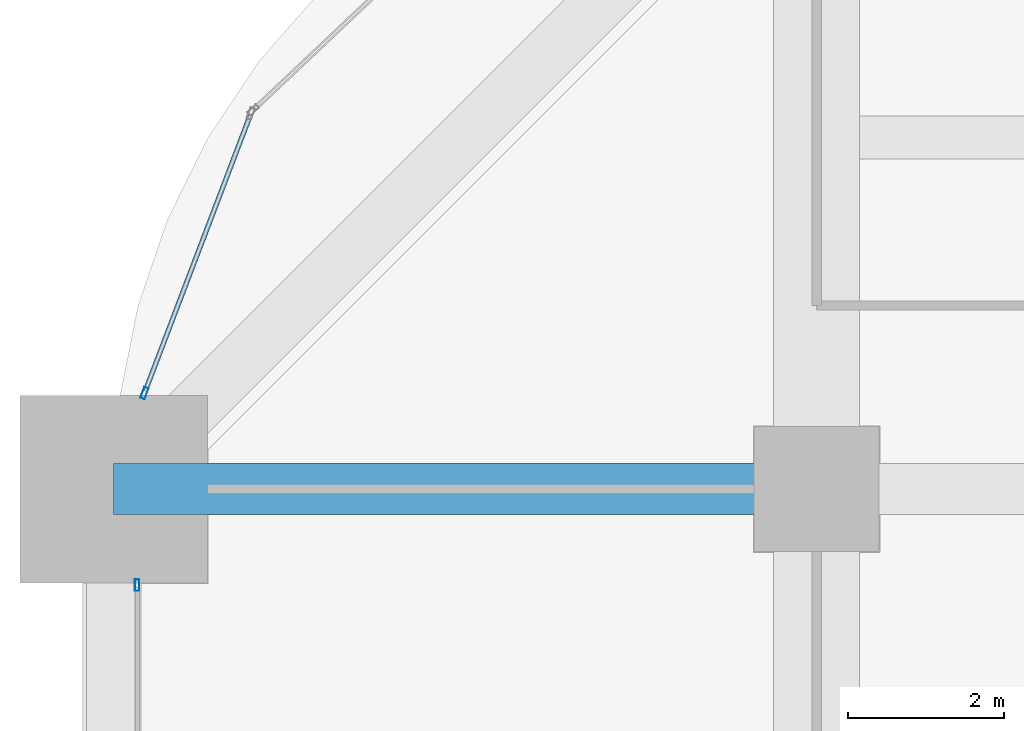
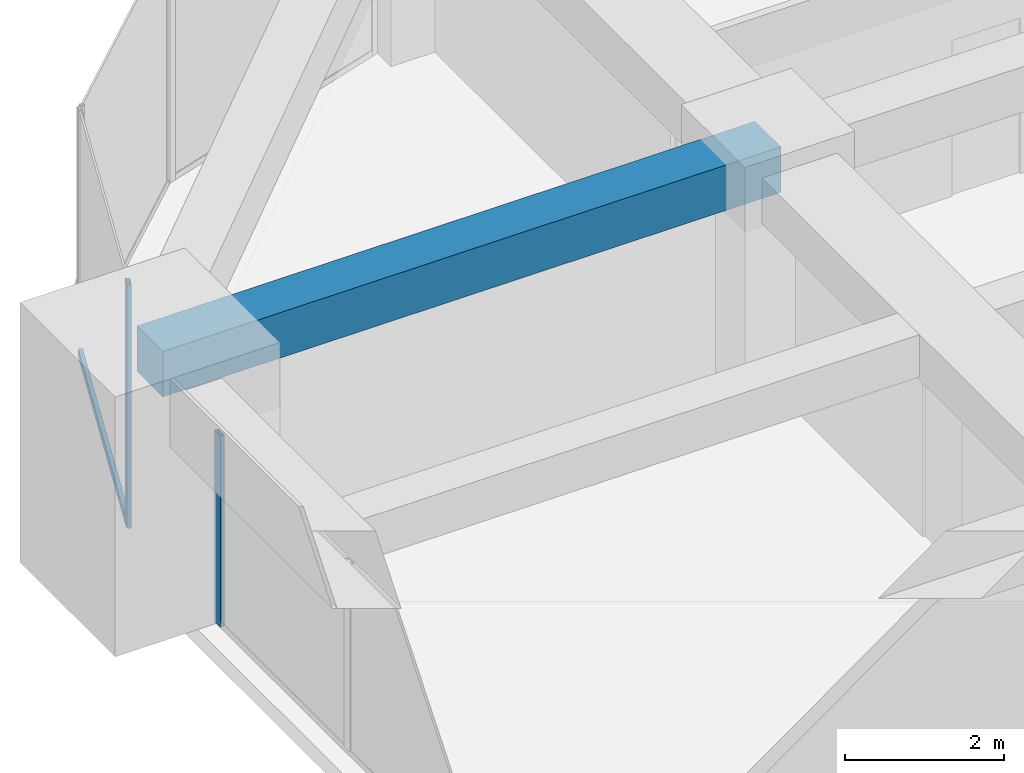
# One storey, part 20 of 32: 3 members, 1 beam, 2 elements without a shape of their own.
"""IFC4 building model written with IfcOpenShell, lengths in metres."""

from ifc_helpers import new_model, si_unit, direction, frame, origin, origin_2d, place, context, subcontext, project, spatial, rectangle, hollow_rectangle, extrude, material, material_profile, profile_set, type_object, element, aggregate, save


model = new_model("IFC4")

# Units and contexts
model_context = context("Model", 3, precision=1e-05, world=origin(), true_north=direction((0.0, 1.0)))
body_context = subcontext(model_context, "Body", "Model", "MODEL_VIEW")
ifc_project = project(units=[si_unit("LENGTHUNIT", "METRE"), si_unit("AREAUNIT", "SQUARE_METRE"), si_unit("VOLUMEUNIT", "CUBIC_METRE"), si_unit("PLANEANGLEUNIT", "RADIAN"), si_unit("MASSUNIT", "GRAM", prefix="KILO")], contexts=[model_context])

# Site, building, storey
site_placement = place(None, origin())
site = spatial("IfcSite", under=ifc_project, at=site_placement, CompositionType="ELEMENT")
building_placement = place(site_placement, origin())
building = spatial("IfcBuilding", under=site, at=building_placement, Name="Zorevar Civic Tower", CompositionType="ELEMENT")
storey_placement = place(building_placement, frame((0.0, 0.0, 186.199951171875)))
storey = spatial("IfcBuildingStorey", under=building, at=storey_placement, Name="L45", CompositionType="ELEMENT", Elevation=186.199951171875)

# Beam
ifc_material_1 = material(Name="Concrete C50/60", Category="concrete")
ifc_material_profile_1 = material_profile(ifc_material_1, rectangle(XDim=0.64990234375, YDim=0.699951171875, at=origin_2d()), Name="RC 650x700")
ifc_profile_set_1 = profile_set([ifc_material_profile_1], Name="Concrete C50/60")
beam_type = type_object("IfcBeamType", Name="Beam RC 650x700", PredefinedType="BEAM", material=ifc_profile_set_1)
beam_placement = place(storey_placement, frame((0.0, 36.0, 3.400146484375), z_axis=(1.0, 0.0, 0.0), x_axis=(0.0, 1.0, 0.0)))
element("IfcBeam", 1, at=beam_placement, inside=storey, type_object=beam_type, Name="Girder L46", PredefinedType="BEAM", context=body_context, shape_type="SweptSolid", body=[
    extrude(rectangle(XDim=0.64990234375, YDim=0.699951171875, at=origin_2d()), origin(), (0.0, 0.0, 1.0), 9.0),
])

# Curtain wall, member
ifc_material_2 = material(Name="Dark grey solar-control glass in black aluminium frame", Category="aluminium")
curtain_wall_type = type_object("IfcCurtainWallType", Name="Curtain wall CW4 high zone", PredefinedType="NOTDEFINED", material=ifc_material_2)
curtain_wall_1_placement = place(storey_placement, origin())
curtain_wall_1 = element("IfcCurtainWall", 2, at=curtain_wall_1_placement, inside=storey, type_object=curtain_wall_type, Name="CW4 L45", PredefinedType="NOTDEFINED")
ifc_material_3 = material(Name="Aluminium, black anodised", Category="aluminium")
ifc_material_profile_2 = material_profile(ifc_material_3, hollow_rectangle(XDim=0.06005859375, YDim=0.14990234375, WallThickness=0.00390625, at=origin_2d()), Name="AL 150x60x4")
ifc_profile_set_2 = profile_set([ifc_material_profile_2], Name="Aluminium, black anodised")
member_type_1 = type_object("IfcMemberType", Name="CW4 mullion AL 150x60x4", PredefinedType="MULLION", material=ifc_profile_set_2)
member_1_placement = place(storey_placement, frame((0.300048828125, 34.77001953125, 0.0), z_axis=(0.0, 0.0, 1.0), x_axis=(-1.0, 0.0, 0.0)))
member_1 = element("IfcMember", 3, at=member_1_placement, type_object=member_type_1, Name="CW4 mullion 3", PredefinedType="MULLION", context=body_context, shape_type="SweptSolid", body=[
    extrude(hollow_rectangle(XDim=0.06005859375, YDim=0.14990234375, WallThickness=0.00390625, at=origin_2d()), origin(), (0.0, 0.0, 1.0), 2.949951171875),
])
aggregate(curtain_wall_1, [member_1])

# Curtain wall, members
curtain_wall_2_placement = place(storey_placement, origin())
curtain_wall_2 = element("IfcCurtainWall", 4, at=curtain_wall_2_placement, inside=storey, type_object=curtain_wall_type, Name="CW4 L45", PredefinedType="NOTDEFINED")
member_2_placement = place(storey_placement, frame((0.393798828125, 37.22802734375, 0.0), z_axis=(0.0, 0.0, 1.0), x_axis=(0.93458842801, -0.355730895803, 0.0)))
member_2 = element("IfcMember", 5, at=member_2_placement, type_object=member_type_1, Name="CW4 mullion 2", PredefinedType="MULLION", context=body_context, shape_type="SweptSolid", body=[
    extrude(hollow_rectangle(XDim=0.06005859375, YDim=0.14990234375, WallThickness=0.00390625, at=origin_2d()), origin(), (0.0, 0.0, 1.0), 3.75),
])
ifc_material_4 = material(Name="Aluminium, black anodised", Category="aluminium")
ifc_material_profile_3 = material_profile(ifc_material_4, hollow_rectangle(XDim=0.06005859375, YDim=0.1201171875, WallThickness=0.0029296875, at=origin_2d()), Name="AL 120x60x3")
ifc_profile_set_3 = profile_set([ifc_material_profile_3], Name="Aluminium, black anodised")
member_type_2 = type_object("IfcMemberType", Name="CW4 transom AL 120x60x3", PredefinedType="USERDEFINED", material=ifc_profile_set_3)
member_3_placement = place(storey_placement, frame((1.74462890625, 40.77685546875, 0.030029296875), z_axis=(-0.355728511406, -0.934589335576, 0.0), x_axis=(0.934589335576, -0.355728511406, 0.0)))
member_3 = element("IfcMember", 6, at=member_3_placement, type_object=member_type_2, Name="CW4 sill transom", ObjectType="TRANSOM", PredefinedType="USERDEFINED", context=body_context, shape_type="SweptSolid", body=[
    extrude(hollow_rectangle(XDim=0.06005859375, YDim=0.1201171875, WallThickness=0.0029296875, at=origin_2d()), origin(), (0.0, 0.0, 1.0), 3.76708984375),
])
aggregate(curtain_wall_2, [member_2, member_3])

save(model, "model.ifc")
